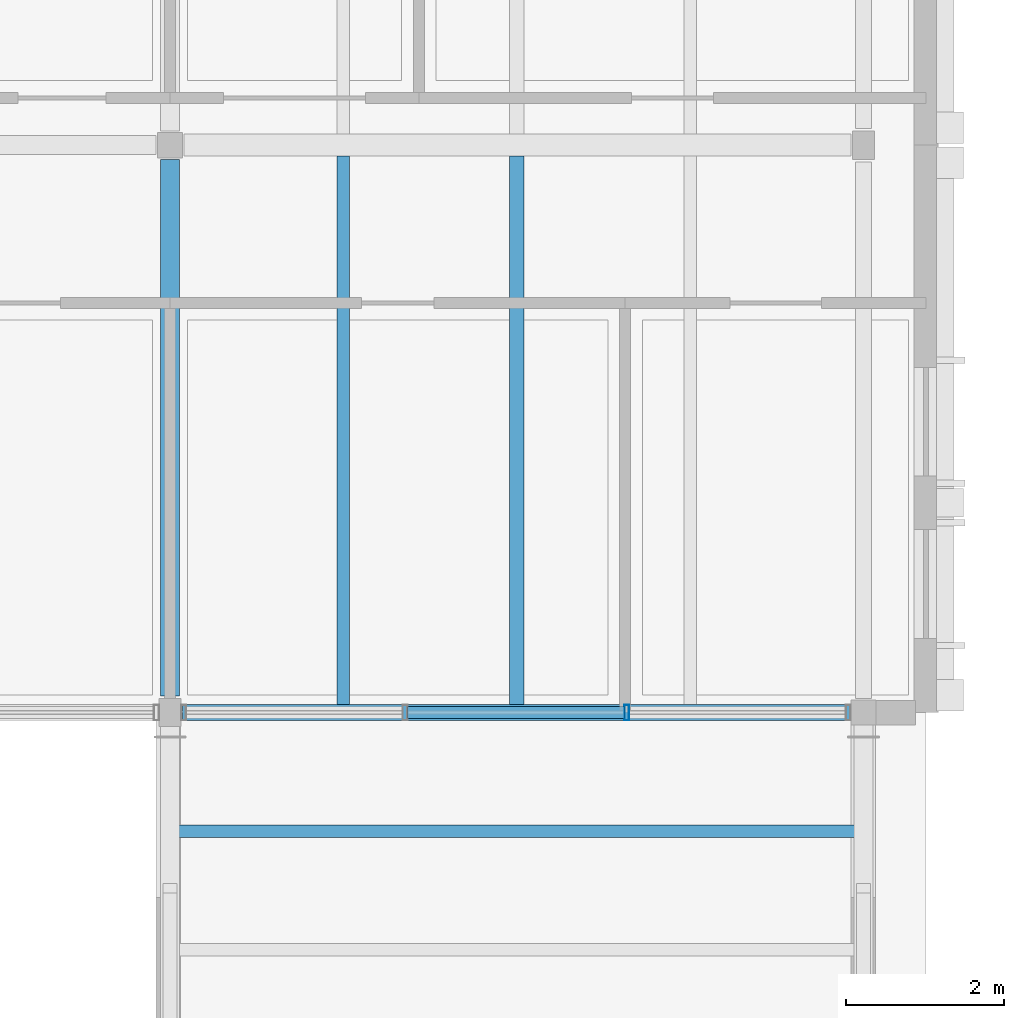
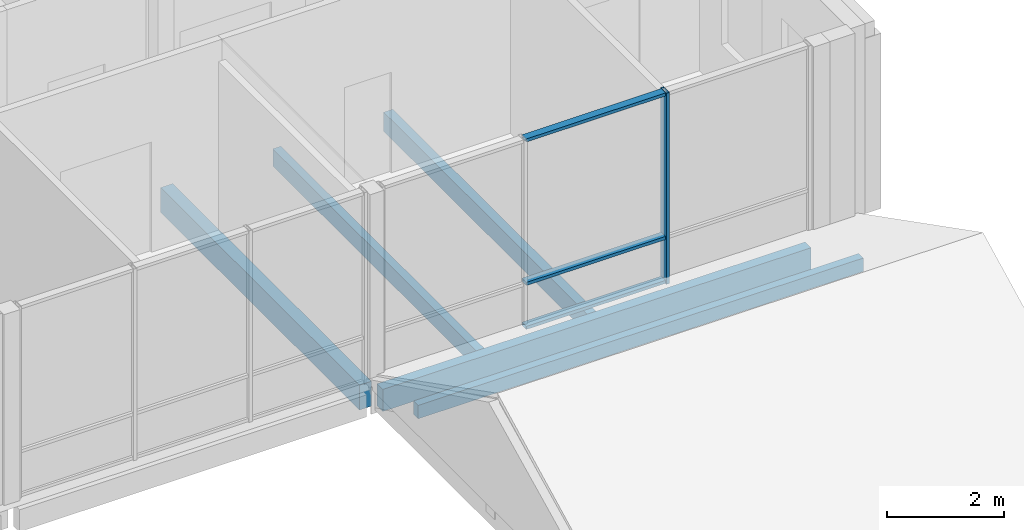
# One storey, part 27 of 115: 5 members, 4 beams, 1 element without a shape of its own.
"""IFC4 building model written with IfcOpenShell, lengths in metres."""

from ifc_helpers import new_model, si_unit, direction, frame, origin, origin_2d, place, context, subcontext, project, spatial, rectangle, hollow_rectangle, extrude, material, material_profile, profile_set, type_object, element, aggregate, save


model = new_model("IFC4")

# Units and contexts
model_context = context("Model", 3, precision=1e-05, world=origin(), true_north=direction((0.0, 1.0)))
body_context = subcontext(model_context, "Body", "Model", "MODEL_VIEW")
ifc_project = project(units=[si_unit("LENGTHUNIT", "METRE"), si_unit("AREAUNIT", "SQUARE_METRE"), si_unit("VOLUMEUNIT", "CUBIC_METRE"), si_unit("PLANEANGLEUNIT", "RADIAN"), si_unit("MASSUNIT", "GRAM", prefix="KILO")], contexts=[model_context])

# Site, building, storey
site_placement = place(None, origin())
site = spatial("IfcSite", under=ifc_project, at=site_placement, CompositionType="ELEMENT")
building_placement = place(site_placement, origin())
building = spatial("IfcBuilding", under=site, at=building_placement, Name="Hawrajan Terrace Health Centre", CompositionType="ELEMENT")
storey_placement = place(building_placement, frame((0.0, 0.0, 9.0)))
storey = spatial("IfcBuildingStorey", under=building, at=storey_placement, Name="L02", CompositionType="ELEMENT", Elevation=9.0)

# Curtain wall, members
ifc_material_1 = material(Name="Anodized bronze aluminium and low-E solar glazing", Category="aluminium")
curtain_wall_type = type_object("IfcCurtainWallType", Name="CW_Clerestory_SeriesG1", PredefinedType="USERDEFINED", material=ifc_material_1)
curtain_wall_placement = place(storey_placement, origin())
curtain_wall = element("IfcCurtainWall", 1, at=curtain_wall_placement, inside=storey, type_object=curtain_wall_type, Name="Curtain wall CW-L02-136", ObjectType="UNITISED CURTAIN WALL", PredefinedType="USERDEFINED")
ifc_material_2 = material(Name="Anodized bronze aluminium 6063-T6", Category="aluminium")
ifc_material_profile_1 = material_profile(ifc_material_2, hollow_rectangle(XDim=0.06494140625, YDim=0.199951171875, WallThickness=0.00439453125, at=origin_2d()), Name="CW MUL 65x200")
ifc_profile_set_1 = profile_set([ifc_material_profile_1], Name="Anodized bronze aluminium 6063-T6")
member_type_1 = type_object("IfcMemberType", Name="CWMullion_65x200", PredefinedType="MULLION", material=ifc_profile_set_1)
member_1_placement = place(storey_placement, frame((67.995849609375, 45.39990234375, -0.0048828125), z_axis=(0.0, 0.0, 1.0), x_axis=(1.0, 0.0, 0.0)))
member_1 = element("IfcMember", 2, at=member_1_placement, type_object=member_type_1, Name="Mullion CW-L02-136-M3", PredefinedType="MULLION", context=body_context, shape_type="SweptSolid", body=[
    extrude(hollow_rectangle(XDim=0.06494140625, YDim=0.199951171875, WallThickness=0.00439453125, at=origin_2d()), origin(), (0.0, 0.0, 1.0), 3.989990234375),
])
ifc_material_profile_2 = material_profile(ifc_material_2, hollow_rectangle(XDim=0.06494140625, YDim=0.14990234375, WallThickness=0.00390625, at=origin_2d()), Name="CW TRN 65x150")
ifc_profile_set_2 = profile_set([ifc_material_profile_2], Name="Anodized bronze aluminium 6063-T6")
member_type_2 = type_object("IfcMemberType", Name="CWTransom_65x150", PredefinedType="USERDEFINED", material=ifc_profile_set_2)
member_2_placement = place(storey_placement, frame((65.210693359375, 45.39990234375, 0.032470703125), z_axis=(1.0, 0.0, 0.0), x_axis=(0.0, 0.0, 1.0)))
member_2 = element("IfcMember", 3, at=member_2_placement, type_object=member_type_2, Name="Transom CW-L02-136-T2-1", ObjectType="TRANSOM", PredefinedType="USERDEFINED", context=body_context, shape_type="SweptSolid", body=[
    extrude(hollow_rectangle(XDim=0.06494140625, YDim=0.14990234375, WallThickness=0.00390625, at=origin_2d()), origin(), (0.0, 0.0, 1.0), 2.758544921875),
])
member_3_placement = place(storey_placement, frame((65.210693359375, 45.39990234375, 0.949951171875), z_axis=(1.0, 0.0, 0.0), x_axis=(0.0, 0.0, 1.0)))
member_3 = element("IfcMember", 4, at=member_3_placement, type_object=member_type_2, Name="Transom CW-L02-136-T2-2", ObjectType="TRANSOM", PredefinedType="USERDEFINED", context=body_context, shape_type="SweptSolid", body=[
    extrude(hollow_rectangle(XDim=0.06494140625, YDim=0.14990234375, WallThickness=0.00390625, at=origin_2d()), origin(), (0.0, 0.0, 1.0), 2.758544921875),
])
member_4_placement = place(storey_placement, frame((65.210693359375, 45.39990234375, 3.947509765625), z_axis=(1.0, 0.0, 0.0), x_axis=(0.0, 0.0, 1.0)))
member_4 = element("IfcMember", 5, at=member_4_placement, type_object=member_type_2, Name="Transom CW-L02-136-T2-3", ObjectType="TRANSOM", PredefinedType="USERDEFINED", context=body_context, shape_type="SweptSolid", body=[
    extrude(hollow_rectangle(XDim=0.06494140625, YDim=0.14990234375, WallThickness=0.00390625, at=origin_2d()), origin(), (0.0, 0.0, 1.0), 2.758544921875),
])
aggregate(curtain_wall, [member_1, member_2, member_3, member_4])

# Beams
ifc_material_3 = material(Name="Glulam GL32h", Category="wood")
ifc_material_profile_3 = material_profile(ifc_material_3, rectangle(XDim=0.239990234375, YDim=0.52001953125, at=origin_2d()), Name="GL BM 240x520")
ifc_profile_set_3 = profile_set([ifc_material_profile_3], Name="Glulam GL32h")
beam_type_1 = type_object("IfcBeamType", Name="GlulamGirder_240x520", PredefinedType="BEAM", material=ifc_profile_set_3)
beam_1_placement = place(storey_placement, frame((62.199951171875, 45.610107421875, -0.5), z_axis=(0.0, 1.0, 0.0), x_axis=(-1.0, 0.0, 0.0)))
element("IfcBeam", 6, at=beam_1_placement, inside=storey, type_object=beam_type_1, Name="Beam BM-Y-L02-W-X09-6", PredefinedType="BEAM", context=body_context, shape_type="SweptSolid", body=[
    extrude(rectangle(XDim=0.239990234375, YDim=0.52001953125, at=origin_2d()), origin(), (0.0, 0.0, 1.0), 6.809814453125),
])
ifc_material_4 = material(Name="Glulam GL28h", Category="wood")
ifc_material_profile_4 = material_profile(ifc_material_4, rectangle(XDim=0.159912109375, YDim=0.360107421875, at=origin_2d()), Name="GL JST 160x360")
ifc_profile_set_4 = profile_set([ifc_material_profile_4], Name="Glulam GL28h")
beam_type_2 = type_object("IfcBeamType", Name="GlulamJoist_160x360", PredefinedType="JOIST", material=ifc_profile_set_4)
beam_2_placement = place(storey_placement, frame((64.39990234375, 45.5, -0.419921875), z_axis=(0.0, 1.0, 0.0), x_axis=(-1.0, 0.0, 0.0)))
element("IfcBeam", 7, at=beam_2_placement, inside=storey, type_object=beam_type_2, Name="Secondary joist JST-L02-W-09-6-1", PredefinedType="JOIST", context=body_context, shape_type="SweptSolid", body=[
    extrude(rectangle(XDim=0.159912109375, YDim=0.360107421875, at=origin_2d()), origin(), (0.0, 0.0, 1.0), 6.9599609375),
])
ifc_material_profile_5 = material_profile(ifc_material_4, rectangle(XDim=0.179931640625, YDim=0.39990234375, at=origin_2d()), Name="GL JST 180x400")
ifc_profile_set_5 = profile_set([ifc_material_profile_5], Name="Glulam GL28h")
beam_type_3 = type_object("IfcBeamType", Name="GlulamJoist_180x400", PredefinedType="JOIST", material=ifc_profile_set_5)
beam_3_placement = place(storey_placement, frame((66.60009765625, 45.5, -0.43994140625), z_axis=(0.0, 1.0, 0.0), x_axis=(-1.0, 0.0, 0.0)))
element("IfcBeam", 8, at=beam_3_placement, inside=storey, type_object=beam_type_3, Name="Secondary joist JST-L02-W-09-6-2", PredefinedType="JOIST", context=body_context, shape_type="SweptSolid", body=[
    extrude(rectangle(XDim=0.179931640625, YDim=0.39990234375, at=origin_2d()), origin(), (0.0, 0.0, 1.0), 6.9599609375),
])
ifc_material_profile_6 = material_profile(ifc_material_3, rectangle(XDim=0.199951171875, YDim=0.4599609375, at=origin_2d()), Name="GL SP 200x460")
ifc_profile_set_6 = profile_set([ifc_material_profile_6], Name="Glulam GL32h")
beam_type_4 = type_object("IfcBeamType", Name="GlulamSpandrel_200x460", PredefinedType="SPANDREL", material=ifc_profile_set_6)
beam_4_placement = place(storey_placement, frame((62.360107421875, 45.39990234375, -0.469970703125), z_axis=(1.0, 0.0, 0.0), x_axis=(0.0, 1.0, 0.0)))
element("IfcBeam", 9, at=beam_4_placement, inside=storey, type_object=beam_type_4, Name="Beam BM-X-L02-W-09-Y6", PredefinedType="SPANDREL", context=body_context, shape_type="SweptSolid", body=[
    extrude(rectangle(XDim=0.199951171875, YDim=0.4599609375, at=origin_2d()), origin(), (0.0, 0.0, 1.0), 8.4599609375),
])

# Member
ifc_material_profile_7 = material_profile(ifc_material_4, rectangle(XDim=0.159912109375, YDim=0.280029296875, at=origin_2d()), Name="GL PUR 160x280")
ifc_profile_set_7 = profile_set([ifc_material_profile_7], Name="Glulam GL28h")
member_type_3 = type_object("IfcMemberType", Name="RoofPurlin_160x280", PredefinedType="PURLIN", material=ifc_profile_set_7)
member_5_placement = place(storey_placement, frame((62.199951171875, 43.89501953125, 0.24267578125), z_axis=(1.0, 0.0, 0.0), x_axis=(0.0, 1.0, 0.0)))
element("IfcMember", 10, at=member_5_placement, inside=storey, type_object=member_type_3, Name="Tent roof purlin 09-TRL-NC-N1", PredefinedType="PURLIN", context=body_context, shape_type="SweptSolid", body=[
    extrude(rectangle(XDim=0.159912109375, YDim=0.280029296875, at=origin_2d()), origin(), (0.0, 0.0, 1.0), 8.800048828125),
])

save(model, "model.ifc")
